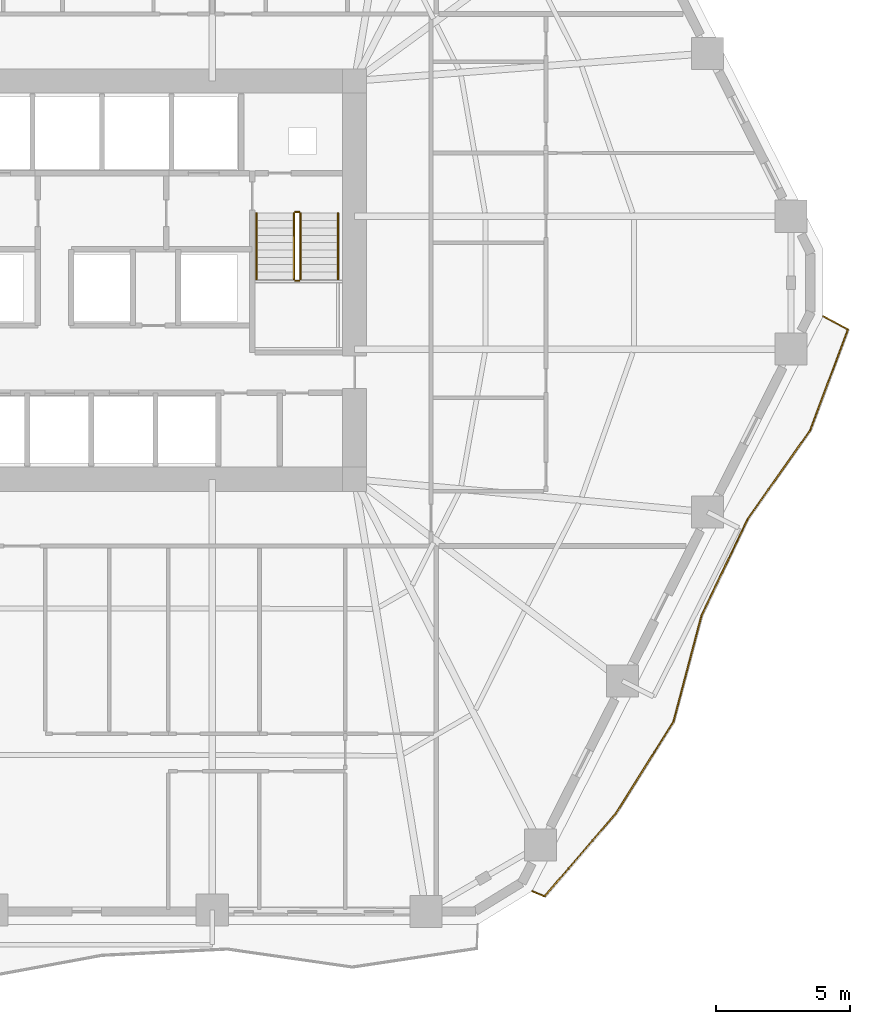
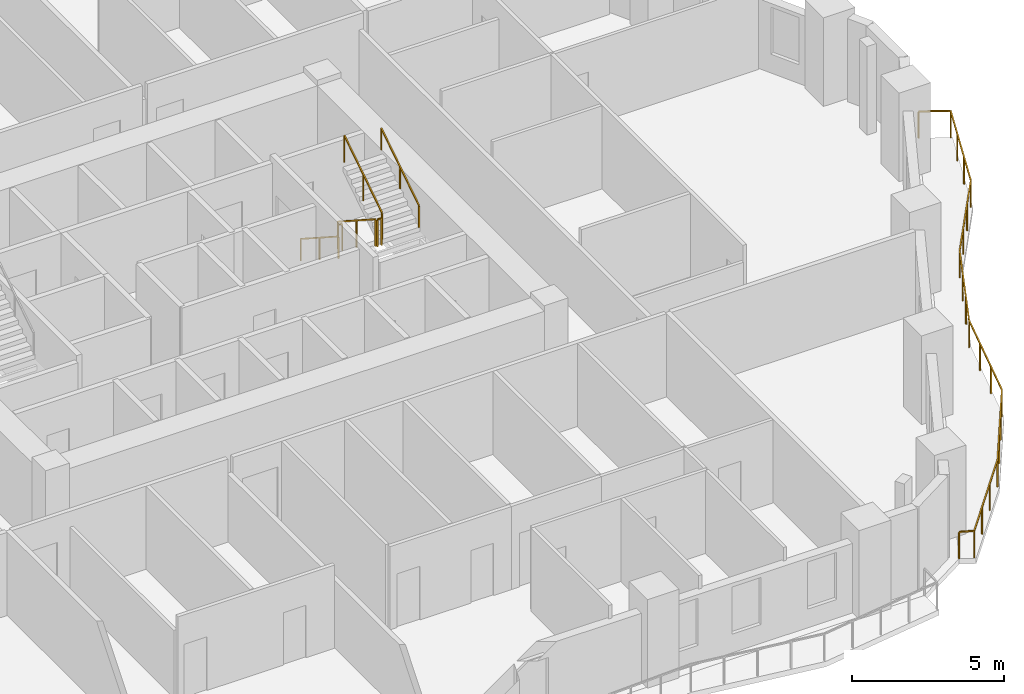
# One storey, part 11 of 12: 7 railings.
"""IFC4 building model written with IfcOpenShell, lengths in metres."""

from ifc_helpers import new_model, si_unit, direction, frame, origin, origin_2d, place, context, subcontext, project, spatial, rectangle, extrude, material, type_object, element, save


model = new_model("IFC4")

# Units and contexts
model_context = context("Model", 3, precision=1e-05, world=origin(), true_north=direction((0.0, 1.0)))
body_context = subcontext(model_context, "Body", "Model", "MODEL_VIEW")
ifc_project = project(units=[si_unit("LENGTHUNIT", "METRE"), si_unit("AREAUNIT", "SQUARE_METRE"), si_unit("VOLUMEUNIT", "CUBIC_METRE"), si_unit("PLANEANGLEUNIT", "RADIAN"), si_unit("MASSUNIT", "GRAM", prefix="KILO")], contexts=[model_context])

# Site, building, storey
site_placement = place(None, origin())
site = spatial("IfcSite", under=ifc_project, at=site_placement, CompositionType="ELEMENT")
building_placement = place(site_placement, origin())
building = spatial("IfcBuilding", under=site, at=building_placement, Name="Cinnabar Lancet Tower", CompositionType="ELEMENT")
storey_placement = place(building_placement, frame((0.0, 0.0, 28.449951171875)))
storey = spatial("IfcBuildingStorey", under=building, at=storey_placement, Name="L06", CompositionType="ELEMENT", Elevation=28.449951171875)

# Railings
ifc_material_1 = material(Name="Laminated safety glass and bronze stainless steel balustrade", Category="steel")
railing_type_1 = type_object("IfcRailingType", Name="ENV-RLG-BAL-1100", PredefinedType="BALUSTRADE", material=ifc_material_1)
railing_1_placement = place(storey_placement, frame((48.488037109375, 3.049072265625, 0.0)))
element("IfcRailing", 1, at=railing_1_placement, inside=storey, type_object=railing_type_1, Name="L06 Face 2 Wave Balcony Balustrade", PredefinedType="BALUSTRADE", context=body_context, shape_type="SweptSolid", body=[
    extrude(rectangle(XDim=0.048095703125, YDim=0.048095703125, at=origin_2d()), frame((0.0, 0.0, 1.076171875), z_axis=(0.919420711038, -0.393275420175, 0.0), x_axis=(0.393275420175, 0.919420711038, 0.0)), (0.0, 0.0, 1.0), 0.50341796875),
    extrude(rectangle(XDim=0.048095703125, YDim=0.048095703125, at=origin_2d()), frame((0.462890625, -0.197998046875, 1.076171875), z_axis=(0.651132480926, 0.758964091564, 0.0), x_axis=(-0.758964091564, 0.651132480926, 0.0)), (0.0, 0.0, 1.0), 4.125244140625),
    extrude(rectangle(XDim=0.048095703125, YDim=0.048095703125, at=origin_2d()), frame((3.14892578125, 2.932861328125, 1.076171875), z_axis=(0.530827656533, 0.847479792714, 0.0), x_axis=(-0.847479792714, 0.530827656533, 0.0)), (0.0, 0.0, 1.0), 4.02392578125),
    extrude(rectangle(XDim=0.048095703125, YDim=0.048095703125, at=origin_2d()), frame((5.284912109375, 6.343017578125, 1.076171875), z_axis=(0.255640259798, 0.966771978064, 0.0), x_axis=(-0.966771978064, 0.255640259798, 0.0)), (0.0, 0.0, 1.0), 4.095947265625),
    extrude(rectangle(XDim=0.048095703125, YDim=0.048095703125, at=origin_2d()), frame((6.33203125, 10.302978515625, 1.076171875), z_axis=(0.430829989961, 0.902433110956, 0.0), x_axis=(-0.902433110956, 0.430829989961, 0.0)), (0.0, 0.0, 1.0), 4.005859375),
    extrude(rectangle(XDim=0.048095703125, YDim=0.048095703125, at=origin_2d()), frame((8.057861328125, 13.91796875, 1.076171875), z_axis=(0.576408570703, 0.817161648403, 0.0), x_axis=(-0.817161648403, 0.576408570703, 0.0)), (0.0, 0.0, 1.0), 4.049072265625),
    extrude(rectangle(XDim=0.048095703125, YDim=0.048095703125, at=origin_2d()), frame((10.391845703125, 17.226806640625, 1.076171875), z_axis=(0.351063700603, 0.936351578265, 0.0), x_axis=(-0.936351578265, 0.351063700603, 0.0)), (0.0, 0.0, 1.0), 4.03076171875),
    extrude(rectangle(XDim=0.048095703125, YDim=0.048095703125, at=origin_2d()), frame((11.806884765625, 21.0009765625, 1.076171875), z_axis=(-0.879748422319, 0.475439495022, 0.0), x_axis=(-0.475439495022, -0.879748422319, 0.0)), (0.0, 0.0, 1.0), 1.0537109375),
    extrude(rectangle(XDim=0.0419921875, YDim=0.0419921875, at=origin_2d()), origin(), (0.0, 0.0, 1.0), 1.052001953125),
    extrude(rectangle(XDim=0.0419921875, YDim=0.0419921875, at=origin_2d()), frame((0.462890625, -0.197998046875, 0.0)), (0.0, 0.0, 1.0), 1.052001953125),
    extrude(rectangle(XDim=0.0419921875, YDim=0.0419921875, at=origin_2d()), frame((1.358154296875, 0.845703125, 0.0)), (0.0, 0.0, 1.0), 1.052001953125),
    extrude(rectangle(XDim=0.0419921875, YDim=0.0419921875, at=origin_2d()), frame((2.253662109375, 1.88916015625, 0.0)), (0.0, 0.0, 1.0), 1.052001953125),
    extrude(rectangle(XDim=0.0419921875, YDim=0.0419921875, at=origin_2d()), frame((3.14892578125, 2.932861328125, 0.0)), (0.0, 0.0, 1.0), 1.052001953125),
    extrude(rectangle(XDim=0.0419921875, YDim=0.0419921875, at=origin_2d()), frame((3.86083984375, 4.069580078125, 0.0)), (0.0, 0.0, 1.0), 1.052001953125),
    extrude(rectangle(XDim=0.0419921875, YDim=0.0419921875, at=origin_2d()), frame((4.572998046875, 5.206298828125, 0.0)), (0.0, 0.0, 1.0), 1.052001953125),
    extrude(rectangle(XDim=0.0419921875, YDim=0.0419921875, at=origin_2d()), frame((5.284912109375, 6.343017578125, 0.0)), (0.0, 0.0, 1.0), 1.052001953125),
    extrude(rectangle(XDim=0.0419921875, YDim=0.0419921875, at=origin_2d()), frame((5.634033203125, 7.6630859375, 0.0)), (0.0, 0.0, 1.0), 1.052001953125),
    extrude(rectangle(XDim=0.0419921875, YDim=0.0419921875, at=origin_2d()), frame((5.98291015625, 8.98291015625, 0.0)), (0.0, 0.0, 1.0), 1.052001953125),
    extrude(rectangle(XDim=0.0419921875, YDim=0.0419921875, at=origin_2d()), frame((6.33203125, 10.302978515625, 0.0)), (0.0, 0.0, 1.0), 1.052001953125),
    extrude(rectangle(XDim=0.0419921875, YDim=0.0419921875, at=origin_2d()), frame((6.9072265625, 11.508056640625, 0.0)), (0.0, 0.0, 1.0), 1.052001953125),
    extrude(rectangle(XDim=0.0419921875, YDim=0.0419921875, at=origin_2d()), frame((7.482666015625, 12.712890625, 0.0)), (0.0, 0.0, 1.0), 1.052001953125),
    extrude(rectangle(XDim=0.0419921875, YDim=0.0419921875, at=origin_2d()), frame((8.057861328125, 13.91796875, 0.0)), (0.0, 0.0, 1.0), 1.052001953125),
    extrude(rectangle(XDim=0.0419921875, YDim=0.0419921875, at=origin_2d()), frame((8.8359375, 15.02099609375, 0.0)), (0.0, 0.0, 1.0), 1.052001953125),
    extrude(rectangle(XDim=0.0419921875, YDim=0.0419921875, at=origin_2d()), frame((9.61376953125, 16.123779296875, 0.0)), (0.0, 0.0, 1.0), 1.052001953125),
    extrude(rectangle(XDim=0.0419921875, YDim=0.0419921875, at=origin_2d()), frame((10.391845703125, 17.226806640625, 0.0)), (0.0, 0.0, 1.0), 1.052001953125),
    extrude(rectangle(XDim=0.0419921875, YDim=0.0419921875, at=origin_2d()), frame((10.863525390625, 18.48486328125, 0.0)), (0.0, 0.0, 1.0), 1.052001953125),
    extrude(rectangle(XDim=0.0419921875, YDim=0.0419921875, at=origin_2d()), frame((11.335205078125, 19.742919921875, 0.0)), (0.0, 0.0, 1.0), 1.052001953125),
    extrude(rectangle(XDim=0.0419921875, YDim=0.0419921875, at=origin_2d()), frame((11.806884765625, 21.0009765625, 0.0)), (0.0, 0.0, 1.0), 1.052001953125),
    extrude(rectangle(XDim=0.0419921875, YDim=0.0419921875, at=origin_2d()), frame((10.8798828125, 21.501953125, 0.0)), (0.0, 0.0, 1.0), 1.052001953125),
])
ifc_material_2 = material(Name="Painted galvanized steel balustrade", Category="steel")
railing_type_2 = type_object("IfcRailingType", Name="GUARD-STAIR", PredefinedType="GUARDRAIL", material=ifc_material_2)
railing_2_placement = place(storey_placement, frame((39.574951171875, 28.39990234375, 0.177490234375)))
element("IfcRailing", 2, at=railing_2_placement, inside=storey, type_object=railing_type_2, Name="L06 ST-2 stair guard 1", PredefinedType="GUARDRAIL", context=body_context, shape_type="SweptSolid", body=[
    extrude(rectangle(XDim=0.048095703125, YDim=0.048095703125, at=origin_2d()), frame((0.0, 0.0, 1.076171875), z_axis=(0.0, -0.84014559416, 0.542360932049), x_axis=(1.0, 0.0, 0.0)), (0.0, 0.0, 1.0), 2.94580078125),
    extrude(rectangle(XDim=0.0419921875, YDim=0.0419921875, at=origin_2d()), origin(), (0.0, 0.0, 1.0), 1.052001953125),
    extrude(rectangle(XDim=0.0419921875, YDim=0.0419921875, at=origin_2d()), frame((0.0, -1.2373046875, 0.798828125)), (0.0, 0.0, 1.0), 1.052001953125),
    extrude(rectangle(XDim=0.0419921875, YDim=0.0419921875, at=origin_2d()), frame((0.0, -2.474853515625, 1.59765625)), (0.0, 0.0, 1.0), 1.052001953125),
])
railing_3_placement = place(storey_placement, frame((39.625, 25.875, 1.775146484375)))
element("IfcRailing", 3, at=railing_3_placement, inside=storey, type_object=railing_type_2, Name="L06 ST-2 stair guard 2", PredefinedType="GUARDRAIL", context=body_context, shape_type="SweptSolid", body=[
    extrude(rectangle(XDim=0.048095703125, YDim=0.048095703125, at=origin_2d()), frame((0.0, 0.0, 1.076171875), z_axis=(1.0, 0.0, 0.0), x_axis=(0.0, 1.0, 0.0)), (0.0, 0.0, 1.0), 0.14990234375),
    extrude(rectangle(XDim=0.0419921875, YDim=0.0419921875, at=origin_2d()), origin(), (0.0, 0.0, 1.0), 1.052001953125),
    extrude(rectangle(XDim=0.0419921875, YDim=0.0419921875, at=origin_2d()), frame((0.14990234375, 0.0, 0.0)), (0.0, 0.0, 1.0), 1.052001953125),
])
railing_4_placement = place(storey_placement, frame((39.824951171875, 25.925048828125, 1.95263671875)))
element("IfcRailing", 4, at=railing_4_placement, inside=storey, type_object=railing_type_2, Name="L06 ST-2 stair guard 3", PredefinedType="GUARDRAIL", context=body_context, shape_type="SweptSolid", body=[
    extrude(rectangle(XDim=0.048095703125, YDim=0.048095703125, at=origin_2d()), frame((0.0, 0.0, 1.076171875), z_axis=(0.0, 0.840183358697, 0.542302428327), x_axis=(-1.0, 0.0, 0.0)), (0.0, 0.0, 1.0), 2.945556640625),
    extrude(rectangle(XDim=0.0419921875, YDim=0.0419921875, at=origin_2d()), origin(), (0.0, 0.0, 1.0), 1.052001953125),
    extrude(rectangle(XDim=0.0419921875, YDim=0.0419921875, at=origin_2d()), frame((0.0, 1.2373046875, 0.798828125)), (0.0, 0.0, 1.0), 1.052001953125),
    extrude(rectangle(XDim=0.0419921875, YDim=0.0419921875, at=origin_2d()), frame((0.0, 2.474853515625, 1.597412109375)), (0.0, 0.0, 1.0), 1.052001953125),
])
railing_5_placement = place(storey_placement, frame((39.625, 28.449951171875, 0.0)))
element("IfcRailing", 5, at=railing_5_placement, inside=storey, type_object=railing_type_2, Name="L06 ST-2 stair guard 4", PredefinedType="GUARDRAIL", context=body_context, shape_type="SweptSolid", body=[
    extrude(rectangle(XDim=0.048095703125, YDim=0.048095703125, at=origin_2d()), frame((0.0, 0.0, 1.076171875), z_axis=(1.0, 0.0, 0.0), x_axis=(0.0, 1.0, 0.0)), (0.0, 0.0, 1.0), 0.14990234375),
    extrude(rectangle(XDim=0.0419921875, YDim=0.0419921875, at=origin_2d()), origin(), (0.0, 0.0, 1.0), 1.052001953125),
    extrude(rectangle(XDim=0.0419921875, YDim=0.0419921875, at=origin_2d()), frame((0.14990234375, 0.0, 0.0)), (0.0, 0.0, 1.0), 1.052001953125),
])
ifc_material_3 = material(Name="Brushed stainless steel handrail", Category="steel")
railing_type_3 = type_object("IfcRailingType", Name="HANDRAIL-STAIR", PredefinedType="HANDRAIL", material=ifc_material_3)
railing_6_placement = place(storey_placement, frame((38.175048828125, 28.39990234375, 0.177490234375)))
element("IfcRailing", 6, at=railing_6_placement, inside=storey, type_object=railing_type_3, Name="L06 ST-2 stair handrail 1", PredefinedType="HANDRAIL", context=body_context, shape_type="SweptSolid", body=[
    extrude(rectangle(XDim=0.048095703125, YDim=0.048095703125, at=origin_2d()), frame((0.0, 0.0, 0.8759765625), z_axis=(0.0, -0.84014559416, 0.542360932049), x_axis=(1.0, 0.0, 0.0)), (0.0, 0.0, 1.0), 2.94580078125),
    extrude(rectangle(XDim=0.0419921875, YDim=0.0419921875, at=origin_2d()), origin(), (0.0, 0.0, 1.0), 0.851806640625),
    extrude(rectangle(XDim=0.0419921875, YDim=0.0419921875, at=origin_2d()), frame((0.0, -1.2373046875, 0.798828125)), (0.0, 0.0, 1.0), 0.851806640625),
    extrude(rectangle(XDim=0.0419921875, YDim=0.0419921875, at=origin_2d()), frame((0.0, -2.474853515625, 1.59765625)), (0.0, 0.0, 1.0), 0.851806640625),
])
railing_7_placement = place(storey_placement, frame((41.22509765625, 25.925048828125, 1.95263671875)))
element("IfcRailing", 7, at=railing_7_placement, inside=storey, type_object=railing_type_3, Name="L06 ST-2 stair handrail 2", PredefinedType="HANDRAIL", context=body_context, shape_type="SweptSolid", body=[
    extrude(rectangle(XDim=0.048095703125, YDim=0.048095703125, at=origin_2d()), frame((0.0, 0.0, 0.8759765625), z_axis=(0.0, 0.840183358697, 0.542302428327), x_axis=(-1.0, 0.0, 0.0)), (0.0, 0.0, 1.0), 2.945556640625),
    extrude(rectangle(XDim=0.0419921875, YDim=0.0419921875, at=origin_2d()), origin(), (0.0, 0.0, 1.0), 0.851806640625),
    extrude(rectangle(XDim=0.0419921875, YDim=0.0419921875, at=origin_2d()), frame((0.0, 1.2373046875, 0.798828125)), (0.0, 0.0, 1.0), 0.851806640625),
    extrude(rectangle(XDim=0.0419921875, YDim=0.0419921875, at=origin_2d()), frame((0.0, 2.474853515625, 1.597412109375)), (0.0, 0.0, 1.0), 0.851806640625),
])

save(model, "model.ifc")
